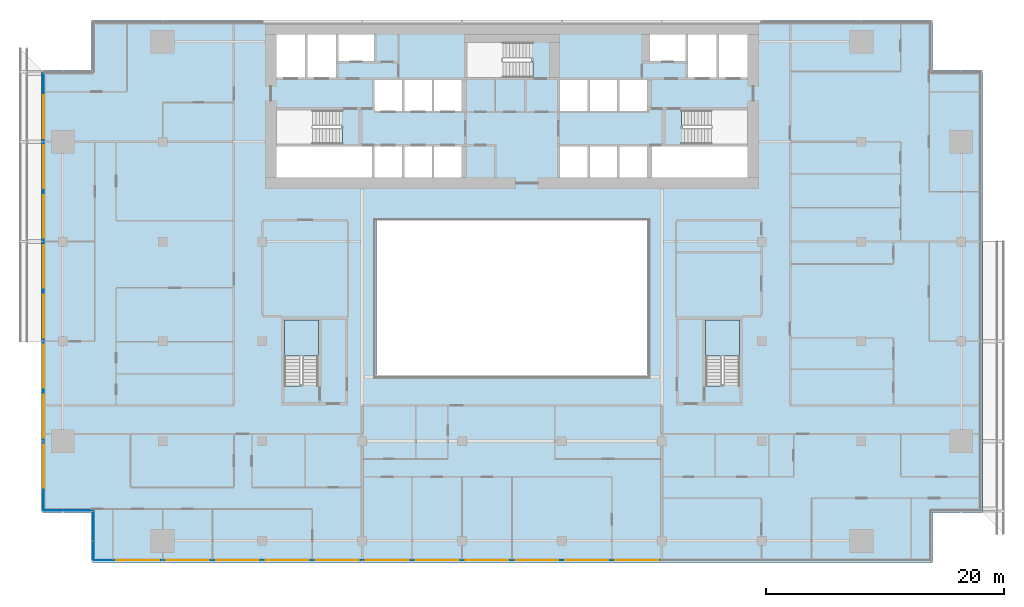
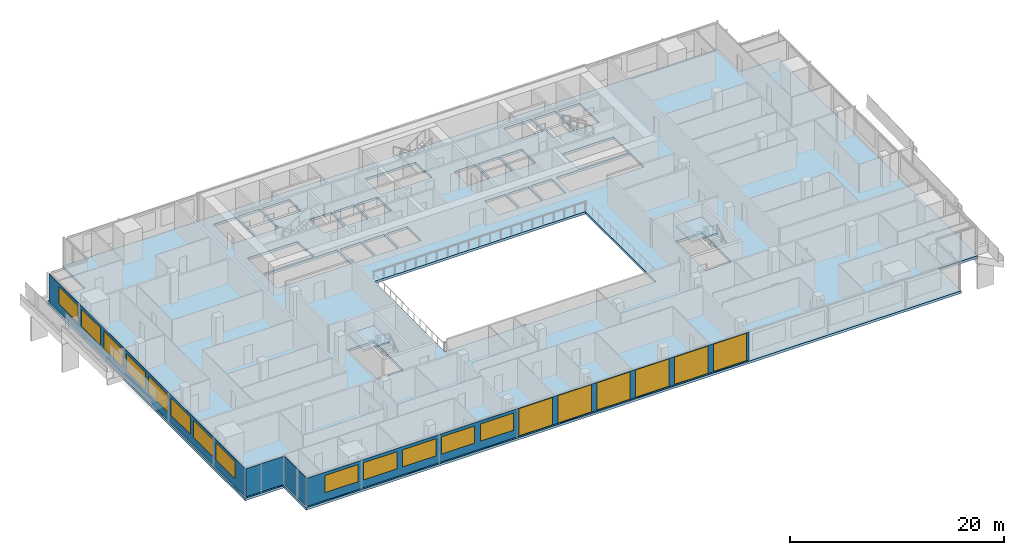
# One storey, part 14 of 25: 19 windows, 5 plates, 3 slabs, 19 openings, 6 elements without a shape of their own.
"""IFC4 building model written with IfcOpenShell, lengths in metres."""

from ifc_helpers import new_model, si_unit, direction, frame, frame_2d, origin, place, context, subcontext, project, spatial, polyline, rectangle, outline, extrude, material, layer, layer_set, type_object, element, fill, aggregate, save


model = new_model("IFC4")

# Units and contexts
model_context = context("Model", 3, precision=1e-05, world=origin(), true_north=direction((0.0, 1.0)))
body_context = subcontext(model_context, "Body", "Model", "MODEL_VIEW")
ifc_project = project(units=[si_unit("LENGTHUNIT", "METRE"), si_unit("AREAUNIT", "SQUARE_METRE"), si_unit("VOLUMEUNIT", "CUBIC_METRE"), si_unit("PLANEANGLEUNIT", "RADIAN"), si_unit("MASSUNIT", "GRAM", prefix="KILO")], contexts=[model_context])

# Site, building, storey
site_placement = place(None, origin())
site = spatial("IfcSite", under=ifc_project, at=site_placement, CompositionType="ELEMENT")
building_placement = place(site_placement, origin())
building = spatial("IfcBuilding", under=site, at=building_placement, Name="Saffron Gate Tower", CompositionType="ELEMENT")
storey_placement = place(building_placement, frame((0.0, 0.0, 131.25)))
storey = spatial("IfcBuildingStorey", under=building, at=storey_placement, Name="L31", CompositionType="ELEMENT", Elevation=131.25)

# Curtain wall, plates, openings, windows
ifc_material_1 = material(Name="Aluminium, bronze anodised", Category="aluminium")
curtain_wall_type_1 = type_object("IfcCurtainWallType", Name="CWS1 curtain wall front facade", PredefinedType="NOTDEFINED", material=ifc_material_1)
curtain_wall_1_placement = place(storey_placement, origin())
curtain_wall_1 = element("IfcCurtainWall", 1, at=curtain_wall_1_placement, inside=storey, type_object=curtain_wall_type_1, Name="CWS1 run 1", PredefinedType="NOTDEFINED")
ifc_material_2 = material(Name="Clear low-iron laminated glass", Category="glass")
ifc_layer_1 = layer(ifc_material_2, 0.028076171875)
ifc_layer_set_1 = layer_set([ifc_layer_1], Name="CWS1 clear glass")
plate_type_1 = type_object("IfcPlateType", Name="CWS1 clear glass", PredefinedType="CURTAIN_PANEL", material=ifc_layer_set_1)
plate_1_placement = place(storey_placement, frame((75.030029296875, 30.174072265625, 0.0), z_axis=(0.0, 0.0, 1.0), x_axis=(1.0, 0.0, 0.0)))
plate_1 = element("IfcPlate", 2, at=plate_1_placement, type_object=plate_type_1, Name="CWS1 clear glass panel", PredefinedType="CURTAIN_PANEL", context=body_context, shape_type="SweptSolid", body=[
    extrude(rectangle(XDim=25.139892578125, YDim=0.028076171875, at=frame_2d((12.56982421875, 0.0))), origin(), (0.0, 0.0, 1.0), 3.199951171875),
])
opening_1_placement = place(plate_1_placement, frame((0.27001953125, 0.0, 0.050048828125)))
opening_1 = element("IfcOpeningElement", 3, at=opening_1_placement, cuts=plate_1, Name="Opening WA", PredefinedType="OPENING", context=body_context, shape_type="SweptSolid", body=[
    extrude(rectangle(XDim=3.60009765625, YDim=3.10009765625, at=frame_2d((1.800048828125, 1.550048828125))), frame((0.0, 0.02392578125, 0.0), z_axis=(0.0, -1.0, 0.0), x_axis=(1.0, 0.0, 0.0)), (0.0, 0.0, 1.0), 0.048095703125),
])
opening_2_placement = place(plate_1_placement, frame((4.469970703125, 0.0, 0.050048828125)))
opening_2 = element("IfcOpeningElement", 4, at=opening_2_placement, cuts=plate_1, Name="Opening WA", PredefinedType="OPENING", context=body_context, shape_type="SweptSolid", body=[
    extrude(rectangle(XDim=3.60009765625, YDim=3.10009765625, at=frame_2d((1.800048828125, 1.550048828125))), frame((0.0, 0.02392578125, 0.0), z_axis=(0.0, -1.0, 0.0), x_axis=(1.0, 0.0, 0.0)), (0.0, 0.0, 1.0), 0.048095703125),
])
opening_3_placement = place(plate_1_placement, frame((8.669921875, 0.0, 0.050048828125)))
opening_3 = element("IfcOpeningElement", 5, at=opening_3_placement, cuts=plate_1, Name="Opening WA", PredefinedType="OPENING", context=body_context, shape_type="SweptSolid", body=[
    extrude(rectangle(XDim=3.60009765625, YDim=3.10009765625, at=frame_2d((1.800048828125, 1.550048828125))), frame((0.0, 0.02392578125, 0.0), z_axis=(0.0, -1.0, 0.0), x_axis=(1.0, 0.0, 0.0)), (0.0, 0.0, 1.0), 0.048095703125),
])
opening_4_placement = place(plate_1_placement, frame((12.8701171875, 0.0, 0.050048828125)))
opening_4 = element("IfcOpeningElement", 6, at=opening_4_placement, cuts=plate_1, Name="Opening WA", PredefinedType="OPENING", context=body_context, shape_type="SweptSolid", body=[
    extrude(rectangle(XDim=3.60009765625, YDim=3.10009765625, at=frame_2d((1.800048828125, 1.550048828125))), frame((0.0, 0.02392578125, 0.0), z_axis=(0.0, -1.0, 0.0), x_axis=(1.0, 0.0, 0.0)), (0.0, 0.0, 1.0), 0.048095703125),
])
opening_5_placement = place(plate_1_placement, frame((17.070068359375, 0.0, 0.050048828125)))
opening_5 = element("IfcOpeningElement", 7, at=opening_5_placement, cuts=plate_1, Name="Opening WA", PredefinedType="OPENING", context=body_context, shape_type="SweptSolid", body=[
    extrude(rectangle(XDim=3.60009765625, YDim=3.10009765625, at=frame_2d((1.800048828125, 1.550048828125))), frame((0.0, 0.02392578125, 0.0), z_axis=(0.0, -1.0, 0.0), x_axis=(1.0, 0.0, 0.0)), (0.0, 0.0, 1.0), 0.048095703125),
])
opening_6_placement = place(plate_1_placement, frame((21.27001953125, 0.0, 0.050048828125)))
opening_6 = element("IfcOpeningElement", 8, at=opening_6_placement, cuts=plate_1, Name="Opening WA", PredefinedType="OPENING", context=body_context, shape_type="SweptSolid", body=[
    extrude(rectangle(XDim=3.60009765625, YDim=3.10009765625, at=frame_2d((1.800048828125, 1.550048828125))), frame((0.0, 0.02392578125, 0.0), z_axis=(0.0, -1.0, 0.0), x_axis=(1.0, 0.0, 0.0)), (0.0, 0.0, 1.0), 0.048095703125),
])
ifc_material_3 = material(Name="Clear low-iron laminated glass in bronze frame", Category="glass")
ifc_layer_2 = layer(ifc_material_3, 0.06005859375)
ifc_layer_set_2 = layer_set([ifc_layer_2], Name="WA operable atrium unit 3600x3100")
window_type_1 = type_object("IfcWindowType", Name="WA operable atrium unit 3600x3100", PartitioningType="DOUBLE_PANEL_HORIZONTAL", PredefinedType="WINDOW", material=ifc_layer_set_2)
window_1_placement = place(opening_1_placement, origin())
window_1 = element("IfcWindow", 9, at=window_1_placement, type_object=window_type_1, Name="WA operable atrium unit", OverallHeight=3.10009765625, OverallWidth=3.60009765625, PartitioningType="SINGLE_PANEL", PredefinedType="WINDOW", context=body_context, shape_type="SweptSolid", body=[
    extrude(rectangle(XDim=3.60009765625, YDim=3.10009765625, at=frame_2d((1.800048828125, 1.550048828125))), frame((0.0, 0.013671875, 0.0), z_axis=(0.0, -1.0, 0.0), x_axis=(1.0, 0.0, 0.0)), (0.0, 0.0, 1.0), 0.027587890625),
])
fill(opening_1, window_1)
window_2_placement = place(opening_2_placement, origin())
window_2 = element("IfcWindow", 10, at=window_2_placement, type_object=window_type_1, Name="WA operable atrium unit", OverallHeight=3.10009765625, OverallWidth=3.60009765625, PartitioningType="SINGLE_PANEL", PredefinedType="WINDOW", context=body_context, shape_type="SweptSolid", body=[
    extrude(rectangle(XDim=3.60009765625, YDim=3.10009765625, at=frame_2d((1.800048828125, 1.550048828125))), frame((0.0, 0.013671875, 0.0), z_axis=(0.0, -1.0, 0.0), x_axis=(1.0, 0.0, 0.0)), (0.0, 0.0, 1.0), 0.027587890625),
])
fill(opening_2, window_2)
window_3_placement = place(opening_3_placement, origin())
window_3 = element("IfcWindow", 11, at=window_3_placement, type_object=window_type_1, Name="WA operable atrium unit", OverallHeight=3.10009765625, OverallWidth=3.60009765625, PartitioningType="SINGLE_PANEL", PredefinedType="WINDOW", context=body_context, shape_type="SweptSolid", body=[
    extrude(rectangle(XDim=3.60009765625, YDim=3.10009765625, at=frame_2d((1.800048828125, 1.550048828125))), frame((0.0, 0.013671875, 0.0), z_axis=(0.0, -1.0, 0.0), x_axis=(1.0, 0.0, 0.0)), (0.0, 0.0, 1.0), 0.027587890625),
])
fill(opening_3, window_3)
window_4_placement = place(opening_4_placement, origin())
window_4 = element("IfcWindow", 12, at=window_4_placement, type_object=window_type_1, Name="WA operable atrium unit", OverallHeight=3.10009765625, OverallWidth=3.60009765625, PartitioningType="SINGLE_PANEL", PredefinedType="WINDOW", context=body_context, shape_type="SweptSolid", body=[
    extrude(rectangle(XDim=3.60009765625, YDim=3.10009765625, at=frame_2d((1.800048828125, 1.550048828125))), frame((0.0, 0.013671875, 0.0), z_axis=(0.0, -1.0, 0.0), x_axis=(1.0, 0.0, 0.0)), (0.0, 0.0, 1.0), 0.027587890625),
])
fill(opening_4, window_4)
window_5_placement = place(opening_5_placement, origin())
window_5 = element("IfcWindow", 13, at=window_5_placement, type_object=window_type_1, Name="WA operable atrium unit", OverallHeight=3.10009765625, OverallWidth=3.60009765625, PartitioningType="SINGLE_PANEL", PredefinedType="WINDOW", context=body_context, shape_type="SweptSolid", body=[
    extrude(rectangle(XDim=3.60009765625, YDim=3.10009765625, at=frame_2d((1.800048828125, 1.550048828125))), frame((0.0, 0.013671875, 0.0), z_axis=(0.0, -1.0, 0.0), x_axis=(1.0, 0.0, 0.0)), (0.0, 0.0, 1.0), 0.027587890625),
])
fill(opening_5, window_5)
window_6_placement = place(opening_6_placement, origin())
window_6 = element("IfcWindow", 14, at=window_6_placement, type_object=window_type_1, Name="WA operable atrium unit", OverallHeight=3.10009765625, OverallWidth=3.60009765625, PartitioningType="SINGLE_PANEL", PredefinedType="WINDOW", context=body_context, shape_type="SweptSolid", body=[
    extrude(rectangle(XDim=3.60009765625, YDim=3.10009765625, at=frame_2d((1.800048828125, 1.550048828125))), frame((0.0, 0.013671875, 0.0), z_axis=(0.0, -1.0, 0.0), x_axis=(1.0, 0.0, 0.0)), (0.0, 0.0, 1.0), 0.027587890625),
])
fill(opening_6, window_6)
ifc_material_4 = material(Name="Fritted bronze-tinted laminated glass", Category="glass")
ifc_layer_3 = layer(ifc_material_4, 0.028076171875)
ifc_layer_set_3 = layer_set([ifc_layer_3], Name="CWS1 fixed glass")
plate_type_2 = type_object("IfcPlateType", Name="CWS1 fixed glass", PredefinedType="CURTAIN_PANEL", material=ifc_layer_set_3)
plate_2_placement = place(storey_placement, frame((52.387939453125, 30.174072265625, 0.0), z_axis=(0.0, 0.0, 1.0), x_axis=(1.0, 0.0, 0.0)))
plate_2 = element("IfcPlate", 15, at=plate_2_placement, type_object=plate_type_2, Name="CWS1 glass panel", PredefinedType="CURTAIN_PANEL", context=body_context, shape_type="SweptSolid", body=[
    extrude(rectangle(XDim=22.64208984375, YDim=0.028076171875, at=frame_2d((11.321044921875, 0.0))), origin(), (0.0, 0.0, 1.0), 3.199951171875),
])
opening_7_placement = place(plate_2_placement, frame((1.912109375, 0.0, 0.89990234375)))
opening_7 = element("IfcOpeningElement", 16, at=opening_7_placement, cuts=plate_2, Name="Opening W1", PredefinedType="OPENING", context=body_context, shape_type="SweptSolid", body=[
    extrude(rectangle(XDim=3.60009765625, YDim=1.949951171875, at=frame_2d((1.800048828125, 0.97509765625))), frame((0.0, 0.02392578125, 0.0), z_axis=(0.0, -1.0, 0.0), x_axis=(1.0, 0.0, 0.0)), (0.0, 0.0, 1.0), 0.048095703125),
])
opening_8_placement = place(plate_2_placement, frame((6.112060546875, 0.0, 0.89990234375)))
opening_8 = element("IfcOpeningElement", 17, at=opening_8_placement, cuts=plate_2, Name="Opening W1", PredefinedType="OPENING", context=body_context, shape_type="SweptSolid", body=[
    extrude(rectangle(XDim=3.60009765625, YDim=1.949951171875, at=frame_2d((1.800048828125, 0.97509765625))), frame((0.0, 0.02392578125, 0.0), z_axis=(0.0, -1.0, 0.0), x_axis=(1.0, 0.0, 0.0)), (0.0, 0.0, 1.0), 0.048095703125),
])
opening_9_placement = place(plate_2_placement, frame((10.31201171875, 0.0, 0.89990234375)))
opening_9 = element("IfcOpeningElement", 18, at=opening_9_placement, cuts=plate_2, Name="Opening W1", PredefinedType="OPENING", context=body_context, shape_type="SweptSolid", body=[
    extrude(rectangle(XDim=3.60009765625, YDim=1.949951171875, at=frame_2d((1.800048828125, 0.97509765625))), frame((0.0, 0.02392578125, 0.0), z_axis=(0.0, -1.0, 0.0), x_axis=(1.0, 0.0, 0.0)), (0.0, 0.0, 1.0), 0.048095703125),
])
opening_10_placement = place(plate_2_placement, frame((14.511962890625, 0.0, 0.89990234375)))
opening_10 = element("IfcOpeningElement", 19, at=opening_10_placement, cuts=plate_2, Name="Opening W1", PredefinedType="OPENING", context=body_context, shape_type="SweptSolid", body=[
    extrude(rectangle(XDim=3.60009765625, YDim=1.949951171875, at=frame_2d((1.800048828125, 0.97509765625))), frame((0.0, 0.02392578125, 0.0), z_axis=(0.0, -1.0, 0.0), x_axis=(1.0, 0.0, 0.0)), (0.0, 0.0, 1.0), 0.048095703125),
])
opening_11_placement = place(plate_2_placement, frame((18.7119140625, 0.0, 0.89990234375)))
opening_11 = element("IfcOpeningElement", 20, at=opening_11_placement, cuts=plate_2, Name="Opening W1", PredefinedType="OPENING", context=body_context, shape_type="SweptSolid", body=[
    extrude(rectangle(XDim=3.60009765625, YDim=1.949951171875, at=frame_2d((1.800048828125, 0.97509765625))), frame((0.0, 0.02392578125, 0.0), z_axis=(0.0, -1.0, 0.0), x_axis=(1.0, 0.0, 0.0)), (0.0, 0.0, 1.0), 0.048095703125),
])
ifc_material_5 = material(Name="Fritted bronze-tinted laminated glass in bronze frame", Category="glass")
ifc_layer_4 = layer(ifc_material_5, 0.06005859375)
ifc_layer_set_4 = layer_set([ifc_layer_4], Name="W1 operable panel 3600x1950")
window_type_2 = type_object("IfcWindowType", Name="W1 operable panel 3600x1950", PartitioningType="DOUBLE_PANEL_HORIZONTAL", PredefinedType="WINDOW", material=ifc_layer_set_4)
window_7_placement = place(opening_7_placement, origin())
window_7 = element("IfcWindow", 21, at=window_7_placement, type_object=window_type_2, Name="W1 operable panel", OverallHeight=1.949951171875, OverallWidth=3.60009765625, PartitioningType="SINGLE_PANEL", PredefinedType="WINDOW", context=body_context, shape_type="SweptSolid", body=[
    extrude(rectangle(XDim=3.60009765625, YDim=1.949951171875, at=frame_2d((1.800048828125, 0.97509765625))), frame((0.0, 0.013671875, 0.0), z_axis=(0.0, -1.0, 0.0), x_axis=(1.0, 0.0, 0.0)), (0.0, 0.0, 1.0), 0.027587890625),
])
fill(opening_7, window_7)
window_8_placement = place(opening_8_placement, origin())
window_8 = element("IfcWindow", 22, at=window_8_placement, type_object=window_type_2, Name="W1 operable panel", OverallHeight=1.949951171875, OverallWidth=3.60009765625, PartitioningType="SINGLE_PANEL", PredefinedType="WINDOW", context=body_context, shape_type="SweptSolid", body=[
    extrude(rectangle(XDim=3.60009765625, YDim=1.949951171875, at=frame_2d((1.800048828125, 0.97509765625))), frame((0.0, 0.013671875, 0.0), z_axis=(0.0, -1.0, 0.0), x_axis=(1.0, 0.0, 0.0)), (0.0, 0.0, 1.0), 0.027587890625),
])
fill(opening_8, window_8)
window_9_placement = place(opening_9_placement, origin())
window_9 = element("IfcWindow", 23, at=window_9_placement, type_object=window_type_2, Name="W1 operable panel", OverallHeight=1.949951171875, OverallWidth=3.60009765625, PartitioningType="SINGLE_PANEL", PredefinedType="WINDOW", context=body_context, shape_type="SweptSolid", body=[
    extrude(rectangle(XDim=3.60009765625, YDim=1.949951171875, at=frame_2d((1.800048828125, 0.97509765625))), frame((0.0, 0.013671875, 0.0), z_axis=(0.0, -1.0, 0.0), x_axis=(1.0, 0.0, 0.0)), (0.0, 0.0, 1.0), 0.027587890625),
])
fill(opening_9, window_9)
window_10_placement = place(opening_10_placement, origin())
window_10 = element("IfcWindow", 24, at=window_10_placement, type_object=window_type_2, Name="W1 operable panel", OverallHeight=1.949951171875, OverallWidth=3.60009765625, PartitioningType="SINGLE_PANEL", PredefinedType="WINDOW", context=body_context, shape_type="SweptSolid", body=[
    extrude(rectangle(XDim=3.60009765625, YDim=1.949951171875, at=frame_2d((1.800048828125, 0.97509765625))), frame((0.0, 0.013671875, 0.0), z_axis=(0.0, -1.0, 0.0), x_axis=(1.0, 0.0, 0.0)), (0.0, 0.0, 1.0), 0.027587890625),
])
fill(opening_10, window_10)
window_11_placement = place(opening_11_placement, origin())
window_11 = element("IfcWindow", 25, at=window_11_placement, type_object=window_type_2, Name="W1 operable panel", OverallHeight=1.949951171875, OverallWidth=3.60009765625, PartitioningType="SINGLE_PANEL", PredefinedType="WINDOW", context=body_context, shape_type="SweptSolid", body=[
    extrude(rectangle(XDim=3.60009765625, YDim=1.949951171875, at=frame_2d((1.800048828125, 0.97509765625))), frame((0.0, 0.013671875, 0.0), z_axis=(0.0, -1.0, 0.0), x_axis=(1.0, 0.0, 0.0)), (0.0, 0.0, 1.0), 0.027587890625),
])
fill(opening_11, window_11)
aggregate(curtain_wall_1, [plate_2, plate_1, window_7, window_8, window_9, window_10, window_11, window_1, window_2, window_3, window_4, window_5, window_6])

# Curtain wall, plate, openings, windows
curtain_wall_type_2 = type_object("IfcCurtainWallType", Name="CWS2 curtain wall side facades", PredefinedType="NOTDEFINED", material=ifc_material_1)
curtain_wall_2_placement = place(storey_placement, origin())
curtain_wall_2 = element("IfcCurtainWall", 26, at=curtain_wall_2_placement, inside=storey, type_object=curtain_wall_type_2, Name="CWS2 run 10", PredefinedType="NOTDEFINED")
ifc_layer_5 = layer(ifc_material_4, 0.028076171875)
ifc_layer_set_5 = layer_set([ifc_layer_5], Name="CWS2 fixed glass")
plate_type_3 = type_object("IfcPlateType", Name="CWS2 fixed glass", PredefinedType="CURTAIN_PANEL", material=ifc_layer_set_5)
plate_3_placement = place(storey_placement, frame((48.174072265625, 71.2119140625, 0.0), z_axis=(0.0, 0.0, 1.0), x_axis=(0.0, -1.0, 0.0)))
plate_3 = element("IfcPlate", 27, at=plate_3_placement, type_object=plate_type_3, Name="CWS2 glass panel", PredefinedType="CURTAIN_PANEL", context=body_context, shape_type="SweptSolid", body=[
    extrude(rectangle(XDim=36.823974609375, YDim=0.028076171875, at=frame_2d((18.412109375, 0.0))), origin(), (0.0, 0.0, 1.0), 3.199951171875),
])
opening_12_placement = place(plate_3_placement, frame((1.912109375, 0.0, 0.89990234375)))
opening_12 = element("IfcOpeningElement", 28, at=opening_12_placement, cuts=plate_3, Name="Opening W1", PredefinedType="OPENING", context=body_context, shape_type="SweptSolid", body=[
    extrude(rectangle(XDim=3.60009765625, YDim=1.949951171875, at=frame_2d((1.800048828125, 0.97509765625))), frame((0.0, 0.02392578125, 0.0), z_axis=(0.0, -1.0, 0.0), x_axis=(1.0, 0.0, 0.0)), (0.0, 0.0, 1.0), 0.048095703125),
])
opening_13_placement = place(plate_3_placement, frame((6.112060546875, 0.0, 0.89990234375)))
opening_13 = element("IfcOpeningElement", 29, at=opening_13_placement, cuts=plate_3, Name="Opening W1", PredefinedType="OPENING", context=body_context, shape_type="SweptSolid", body=[
    extrude(rectangle(XDim=3.60009765625, YDim=1.949951171875, at=frame_2d((1.800048828125, 0.97509765625))), frame((0.0, 0.02392578125, 0.0), z_axis=(0.0, -1.0, 0.0), x_axis=(1.0, 0.0, 0.0)), (0.0, 0.0, 1.0), 0.048095703125),
])
opening_14_placement = place(plate_3_placement, frame((10.31201171875, 0.0, 0.89990234375)))
opening_14 = element("IfcOpeningElement", 30, at=opening_14_placement, cuts=plate_3, Name="Opening W1", PredefinedType="OPENING", context=body_context, shape_type="SweptSolid", body=[
    extrude(rectangle(XDim=3.60009765625, YDim=1.949951171875, at=frame_2d((1.800048828125, 0.97509765625))), frame((0.0, 0.02392578125, 0.0), z_axis=(0.0, -1.0, 0.0), x_axis=(1.0, 0.0, 0.0)), (0.0, 0.0, 1.0), 0.048095703125),
])
opening_15_placement = place(plate_3_placement, frame((14.511962890625, 0.0, 0.89990234375)))
opening_15 = element("IfcOpeningElement", 31, at=opening_15_placement, cuts=plate_3, Name="Opening W1", PredefinedType="OPENING", context=body_context, shape_type="SweptSolid", body=[
    extrude(rectangle(XDim=3.60009765625, YDim=1.949951171875, at=frame_2d((1.800048828125, 0.97509765625))), frame((0.0, 0.02392578125, 0.0), z_axis=(0.0, -1.0, 0.0), x_axis=(1.0, 0.0, 0.0)), (0.0, 0.0, 1.0), 0.048095703125),
])
opening_16_placement = place(plate_3_placement, frame((18.7119140625, 0.0, 0.89990234375)))
opening_16 = element("IfcOpeningElement", 32, at=opening_16_placement, cuts=plate_3, Name="Opening W1", PredefinedType="OPENING", context=body_context, shape_type="SweptSolid", body=[
    extrude(rectangle(XDim=3.60009765625, YDim=1.949951171875, at=frame_2d((1.800048828125, 0.97509765625))), frame((0.0, 0.02392578125, 0.0), z_axis=(0.0, -1.0, 0.0), x_axis=(1.0, 0.0, 0.0)), (0.0, 0.0, 1.0), 0.048095703125),
])
opening_17_placement = place(plate_3_placement, frame((22.912109375, 0.0, 0.89990234375)))
opening_17 = element("IfcOpeningElement", 33, at=opening_17_placement, cuts=plate_3, Name="Opening W1", PredefinedType="OPENING", context=body_context, shape_type="SweptSolid", body=[
    extrude(rectangle(XDim=3.60009765625, YDim=1.949951171875, at=frame_2d((1.800048828125, 0.97509765625))), frame((0.0, 0.02392578125, 0.0), z_axis=(0.0, -1.0, 0.0), x_axis=(1.0, 0.0, 0.0)), (0.0, 0.0, 1.0), 0.048095703125),
])
opening_18_placement = place(plate_3_placement, frame((27.112060546875, 0.0, 0.89990234375)))
opening_18 = element("IfcOpeningElement", 34, at=opening_18_placement, cuts=plate_3, Name="Opening W1", PredefinedType="OPENING", context=body_context, shape_type="SweptSolid", body=[
    extrude(rectangle(XDim=3.60009765625, YDim=1.949951171875, at=frame_2d((1.800048828125, 0.97509765625))), frame((0.0, 0.02392578125, 0.0), z_axis=(0.0, -1.0, 0.0), x_axis=(1.0, 0.0, 0.0)), (0.0, 0.0, 1.0), 0.048095703125),
])
opening_19_placement = place(plate_3_placement, frame((31.31201171875, 0.0, 0.89990234375)))
opening_19 = element("IfcOpeningElement", 35, at=opening_19_placement, cuts=plate_3, Name="Opening W1", PredefinedType="OPENING", context=body_context, shape_type="SweptSolid", body=[
    extrude(rectangle(XDim=3.60009765625, YDim=1.949951171875, at=frame_2d((1.800048828125, 0.97509765625))), frame((0.0, 0.02392578125, 0.0), z_axis=(0.0, -1.0, 0.0), x_axis=(1.0, 0.0, 0.0)), (0.0, 0.0, 1.0), 0.048095703125),
])
window_12_placement = place(opening_12_placement, origin())
window_12 = element("IfcWindow", 36, at=window_12_placement, type_object=window_type_2, Name="W1 operable panel", OverallHeight=1.949951171875, OverallWidth=3.60009765625, PartitioningType="SINGLE_PANEL", PredefinedType="WINDOW", context=body_context, shape_type="SweptSolid", body=[
    extrude(rectangle(XDim=3.60009765625, YDim=1.949951171875, at=frame_2d((1.800048828125, 0.97509765625))), frame((0.0, 0.013671875, 0.0), z_axis=(0.0, -1.0, 0.0), x_axis=(1.0, 0.0, 0.0)), (0.0, 0.0, 1.0), 0.027587890625),
])
fill(opening_12, window_12)
window_13_placement = place(opening_13_placement, origin())
window_13 = element("IfcWindow", 37, at=window_13_placement, type_object=window_type_2, Name="W1 operable panel", OverallHeight=1.949951171875, OverallWidth=3.60009765625, PartitioningType="SINGLE_PANEL", PredefinedType="WINDOW", context=body_context, shape_type="SweptSolid", body=[
    extrude(rectangle(XDim=3.60009765625, YDim=1.949951171875, at=frame_2d((1.800048828125, 0.97509765625))), frame((0.0, 0.013671875, 0.0), z_axis=(0.0, -1.0, 0.0), x_axis=(1.0, 0.0, 0.0)), (0.0, 0.0, 1.0), 0.027587890625),
])
fill(opening_13, window_13)
window_14_placement = place(opening_14_placement, origin())
window_14 = element("IfcWindow", 38, at=window_14_placement, type_object=window_type_2, Name="W1 operable panel", OverallHeight=1.949951171875, OverallWidth=3.60009765625, PartitioningType="SINGLE_PANEL", PredefinedType="WINDOW", context=body_context, shape_type="SweptSolid", body=[
    extrude(rectangle(XDim=3.60009765625, YDim=1.949951171875, at=frame_2d((1.800048828125, 0.97509765625))), frame((0.0, 0.013671875, 0.0), z_axis=(0.0, -1.0, 0.0), x_axis=(1.0, 0.0, 0.0)), (0.0, 0.0, 1.0), 0.027587890625),
])
fill(opening_14, window_14)
window_15_placement = place(opening_15_placement, origin())
window_15 = element("IfcWindow", 39, at=window_15_placement, type_object=window_type_2, Name="W1 operable panel", OverallHeight=1.949951171875, OverallWidth=3.60009765625, PartitioningType="SINGLE_PANEL", PredefinedType="WINDOW", context=body_context, shape_type="SweptSolid", body=[
    extrude(rectangle(XDim=3.60009765625, YDim=1.949951171875, at=frame_2d((1.800048828125, 0.97509765625))), frame((0.0, 0.013671875, 0.0), z_axis=(0.0, -1.0, 0.0), x_axis=(1.0, 0.0, 0.0)), (0.0, 0.0, 1.0), 0.027587890625),
])
fill(opening_15, window_15)
window_16_placement = place(opening_16_placement, origin())
window_16 = element("IfcWindow", 40, at=window_16_placement, type_object=window_type_2, Name="W1 operable panel", OverallHeight=1.949951171875, OverallWidth=3.60009765625, PartitioningType="SINGLE_PANEL", PredefinedType="WINDOW", context=body_context, shape_type="SweptSolid", body=[
    extrude(rectangle(XDim=3.60009765625, YDim=1.949951171875, at=frame_2d((1.800048828125, 0.97509765625))), frame((0.0, 0.013671875, 0.0), z_axis=(0.0, -1.0, 0.0), x_axis=(1.0, 0.0, 0.0)), (0.0, 0.0, 1.0), 0.027587890625),
])
fill(opening_16, window_16)
window_17_placement = place(opening_17_placement, origin())
window_17 = element("IfcWindow", 41, at=window_17_placement, type_object=window_type_2, Name="W1 operable panel", OverallHeight=1.949951171875, OverallWidth=3.60009765625, PartitioningType="SINGLE_PANEL", PredefinedType="WINDOW", context=body_context, shape_type="SweptSolid", body=[
    extrude(rectangle(XDim=3.60009765625, YDim=1.949951171875, at=frame_2d((1.800048828125, 0.97509765625))), frame((0.0, 0.013671875, 0.0), z_axis=(0.0, -1.0, 0.0), x_axis=(1.0, 0.0, 0.0)), (0.0, 0.0, 1.0), 0.027587890625),
])
fill(opening_17, window_17)
window_18_placement = place(opening_18_placement, origin())
window_18 = element("IfcWindow", 42, at=window_18_placement, type_object=window_type_2, Name="W1 operable panel", OverallHeight=1.949951171875, OverallWidth=3.60009765625, PartitioningType="SINGLE_PANEL", PredefinedType="WINDOW", context=body_context, shape_type="SweptSolid", body=[
    extrude(rectangle(XDim=3.60009765625, YDim=1.949951171875, at=frame_2d((1.800048828125, 0.97509765625))), frame((0.0, 0.013671875, 0.0), z_axis=(0.0, -1.0, 0.0), x_axis=(1.0, 0.0, 0.0)), (0.0, 0.0, 1.0), 0.027587890625),
])
fill(opening_18, window_18)
window_19_placement = place(opening_19_placement, origin())
window_19 = element("IfcWindow", 43, at=window_19_placement, type_object=window_type_2, Name="W1 operable panel", OverallHeight=1.949951171875, OverallWidth=3.60009765625, PartitioningType="SINGLE_PANEL", PredefinedType="WINDOW", context=body_context, shape_type="SweptSolid", body=[
    extrude(rectangle(XDim=3.60009765625, YDim=1.949951171875, at=frame_2d((1.800048828125, 0.97509765625))), frame((0.0, 0.013671875, 0.0), z_axis=(0.0, -1.0, 0.0), x_axis=(1.0, 0.0, 0.0)), (0.0, 0.0, 1.0), 0.027587890625),
])
fill(opening_19, window_19)
aggregate(curtain_wall_2, [plate_3, window_12, window_13, window_14, window_15, window_16, window_17, window_18, window_19])

# Curtain wall, plate
curtain_wall_type_3 = type_object("IfcCurtainWallType", Name="CWS4 curtain wall corner returns", PredefinedType="NOTDEFINED", material=ifc_material_1)
curtain_wall_3_placement = place(storey_placement, origin())
curtain_wall_3 = element("IfcCurtainWall", 44, at=curtain_wall_3_placement, inside=storey, type_object=curtain_wall_type_3, Name="CWS4 run 11", PredefinedType="NOTDEFINED")
ifc_layer_6 = layer(ifc_material_4, 0.028076171875)
ifc_layer_set_6 = layer_set([ifc_layer_6], Name="CWS4 fixed glass")
plate_type_4 = type_object("IfcPlateType", Name="CWS4 fixed glass", PredefinedType="CURTAIN_PANEL", material=ifc_layer_set_6)
plate_4_placement = place(storey_placement, frame((48.18798828125, 34.3740234375, 0.0), z_axis=(0.0, 0.0, 1.0), x_axis=(1.0, 0.0, 0.0)))
plate_4 = element("IfcPlate", 45, at=plate_4_placement, type_object=plate_type_4, Name="CWS4 glass panel", PredefinedType="CURTAIN_PANEL", context=body_context, shape_type="SweptSolid", body=[
    extrude(rectangle(XDim=4.172119140625, YDim=0.028076171875, at=frame_2d((2.0859375, 0.0))), origin(), (0.0, 0.0, 1.0), 3.199951171875),
])
aggregate(curtain_wall_3, [plate_4])

curtain_wall_4_placement = place(storey_placement, origin())
curtain_wall_4 = element("IfcCurtainWall", 46, at=curtain_wall_4_placement, inside=storey, type_object=curtain_wall_type_3, Name="CWS4 run 12", PredefinedType="NOTDEFINED")
plate_5_placement = place(storey_placement, frame((52.3740234375, 34.360107421875, 0.0), z_axis=(0.0, 0.0, 1.0), x_axis=(0.0, -1.0, 0.0)))
plate_5 = element("IfcPlate", 47, at=plate_5_placement, type_object=plate_type_4, Name="CWS4 glass panel", PredefinedType="CURTAIN_PANEL", context=body_context, shape_type="SweptSolid", body=[
    extrude(rectangle(XDim=4.172119140625, YDim=0.028076171875, at=frame_2d((2.0859375, 0.0))), origin(), (0.0, 0.0, 1.0), 3.199951171875),
])
aggregate(curtain_wall_4, [plate_5])

# Slab
ifc_material_6 = material(Name="Concrete C40", Category="concrete")
ifc_layer_7 = layer(ifc_material_6, 0.280029296875)
ifc_layer_set_7 = layer_set([ifc_layer_7], Name="S2 FLOOR SLAB 280 CONCRETE C40")
slab_type_1 = type_object("IfcSlabType", Name="S2 FLOOR SLAB 280 CONCRETE C40", PredefinedType="FLOOR", material=ifc_layer_set_7)
slab_1_placement = place(storey_placement, frame((0.0, 0.0, -0.280029296875)))
element("IfcSlab", 48, at=slab_1_placement, inside=storey, type_object=slab_type_1, Name="S2 FLOOR SLAB", PredefinedType="FLOOR", context=body_context, shape_type="SweptSolid", body=[
    extrude(outline(polyline([(48.0, 34.199951171875), (52.199951171875, 34.199951171875), (52.199951171875, 30.0), (123.0, 30.0), (123.0, 34.199951171875), (127.199951171875, 34.199951171875), (127.199951171875, 71.39990234375), (123.0, 71.39990234375), (123.0, 75.60009765625), (52.199951171875, 75.60009765625), (52.199951171875, 71.39990234375), (48.0, 71.39990234375), (48.0, 34.199951171875)]), holes=[polyline([(67.800048828125, 62.39990234375), (67.800048828125, 65.0), (75.800048828125, 65.0), (75.800048828125, 62.39990234375), (67.800048828125, 62.39990234375)]), polyline([(67.800048828125, 65.199951171875), (67.800048828125, 68.050048828125), (73.25, 68.050048828125), (73.25, 66.550048828125), (73.34912109375, 66.550048828125), (73.34912109375, 65.199951171875), (67.800048828125, 65.199951171875)]), polyline([(67.800048828125, 70.800048828125), (67.800048828125, 74.39990234375), (70.199951171875, 74.39990234375), (70.199951171875, 70.800048828125), (67.800048828125, 70.800048828125)]), polyline([(68.449951171875, 44.85107421875), (68.449951171875, 50.39990234375), (71.300048828125, 50.39990234375), (71.300048828125, 44.949951171875), (69.800048828125, 44.949951171875), (69.800048828125, 44.85107421875), (68.449951171875, 44.85107421875)]), polyline([(70.39990234375, 70.800048828125), (70.39990234375, 74.39990234375), (72.800048828125, 74.39990234375), (72.800048828125, 70.800048828125), (70.39990234375, 70.800048828125)]), polyline([(73.0, 72.199951171875), (73.0, 74.39990234375), (76.0, 74.39990234375), (76.0, 72.199951171875), (73.0, 72.199951171875)]), polyline([(76.050048828125, 62.39990234375), (76.050048828125, 65.0), (78.35009765625, 65.0), (78.35009765625, 62.39990234375), (76.050048828125, 62.39990234375)]), polyline([(76.050048828125, 68.0), (76.050048828125, 70.60009765625), (78.35009765625, 70.60009765625), (78.35009765625, 68.0), (76.050048828125, 68.0)]), polyline([(76.199951171875, 45.60009765625), (76.199951171875, 58.800048828125), (99.0, 58.800048828125), (99.0, 45.60009765625), (76.199951171875, 45.60009765625)]), polyline([(78.550048828125, 62.39990234375), (78.550048828125, 65.0), (80.85009765625, 65.0), (80.85009765625, 62.39990234375), (78.550048828125, 62.39990234375)]), polyline([(78.550048828125, 68.0), (78.550048828125, 70.60009765625), (80.85009765625, 70.60009765625), (80.85009765625, 68.0), (78.550048828125, 68.0)]), polyline([(81.050048828125, 62.39990234375), (81.050048828125, 65.0), (83.35009765625, 65.0), (83.35009765625, 62.39990234375), (81.050048828125, 62.39990234375)]), polyline([(81.050048828125, 68.0), (81.050048828125, 70.60009765625), (83.35009765625, 70.60009765625), (83.35009765625, 68.0), (81.050048828125, 68.0)]), polyline([(83.800048828125, 70.800048828125), (83.800048828125, 73.75), (89.25, 73.75), (89.25, 72.14990234375), (89.34912109375, 72.14990234375), (89.34912109375, 70.800048828125), (83.800048828125, 70.800048828125)]), polyline([(91.64990234375, 62.39990234375), (91.64990234375, 65.0), (93.949951171875, 65.0), (93.949951171875, 62.39990234375), (91.64990234375, 62.39990234375)]), polyline([(91.64990234375, 68.0), (91.64990234375, 70.60009765625), (93.949951171875, 70.60009765625), (93.949951171875, 68.0), (91.64990234375, 68.0)]), polyline([(94.14990234375, 62.39990234375), (94.14990234375, 65.0), (96.449951171875, 65.0), (96.449951171875, 62.39990234375), (94.14990234375, 62.39990234375)]), polyline([(94.14990234375, 68.0), (94.14990234375, 70.60009765625), (96.449951171875, 70.60009765625), (96.449951171875, 68.0), (94.14990234375, 68.0)]), polyline([(96.64990234375, 62.39990234375), (96.64990234375, 65.0), (98.949951171875, 65.0), (98.949951171875, 62.39990234375), (96.64990234375, 62.39990234375)]), polyline([(96.64990234375, 68.0), (96.64990234375, 70.60009765625), (98.949951171875, 70.60009765625), (98.949951171875, 68.0), (96.64990234375, 68.0)]), polyline([(99.199951171875, 72.199951171875), (99.199951171875, 74.39990234375), (102.199951171875, 74.39990234375), (102.199951171875, 72.199951171875), (99.199951171875, 72.199951171875)]), polyline([(99.39990234375, 62.39990234375), (99.39990234375, 65.0), (107.39990234375, 65.0), (107.39990234375, 62.39990234375), (99.39990234375, 62.39990234375)]), polyline([(101.85107421875, 66.699951171875), (101.85107421875, 68.050048828125), (107.39990234375, 68.050048828125), (107.39990234375, 65.199951171875), (101.949951171875, 65.199951171875), (101.949951171875, 66.699951171875), (101.85107421875, 66.699951171875)]), polyline([(102.39990234375, 70.800048828125), (102.39990234375, 74.39990234375), (104.800048828125, 74.39990234375), (104.800048828125, 70.800048828125), (102.39990234375, 70.800048828125)]), polyline([(103.89990234375, 44.85107421875), (103.89990234375, 50.39990234375), (106.75, 50.39990234375), (106.75, 44.949951171875), (105.25, 44.949951171875), (105.25, 44.85107421875), (103.89990234375, 44.85107421875)]), polyline([(105.0, 70.800048828125), (105.0, 74.39990234375), (107.39990234375, 74.39990234375), (107.39990234375, 70.800048828125), (105.0, 70.800048828125)])]), origin(), (0.0, 0.0, 1.0), 0.280029296875),
])

# Stair, slab
stair_type = type_object("IfcStairType", Name="ST7 Stair 1350 wide, 20 risers of 180", PredefinedType="HALF_TURN_STAIR", material=ifc_material_6)
stair_1_placement = place(storey_placement, origin())
stair_1 = element("IfcStair", 49, at=stair_1_placement, inside=storey, type_object=stair_type, Name="L31 Exit stair D", PredefinedType="HALF_TURN_STAIR")
ifc_layer_8 = layer(ifc_material_6, 0.199951171875)
ifc_layer_set_8 = layer_set([ifc_layer_8], Name="SL1 Stair landing 200")
slab_type_2 = type_object("IfcSlabType", Name="SL1 Stair landing 200", PredefinedType="LANDING", material=ifc_layer_set_8)
slab_2_placement = place(storey_placement, frame((0.0, 0.0, 1.60009765625)))
slab_2 = element("IfcSlab", 50, at=slab_2_placement, type_object=slab_type_2, Name="ST-D landing 1", PredefinedType="LANDING", context=body_context, shape_type="SweptSolid", body=[
    extrude(outline(polyline([(71.300048828125, 47.3701171875), (71.300048828125, 50.39990234375), (68.449951171875, 50.39990234375), (68.449951171875, 47.3701171875), (71.300048828125, 47.3701171875)])), origin(), (0.0, 0.0, 1.0), 0.199951171875),
])
aggregate(stair_1, [slab_2])

stair_2_placement = place(storey_placement, origin())
stair_2 = element("IfcStair", 51, at=stair_2_placement, inside=storey, type_object=stair_type, Name="L31 Exit stair E", PredefinedType="HALF_TURN_STAIR")
slab_3_placement = place(storey_placement, frame((0.0, 0.0, 1.60009765625)))
slab_3 = element("IfcSlab", 52, at=slab_3_placement, type_object=slab_type_2, Name="ST-E landing 1", PredefinedType="LANDING", context=body_context, shape_type="SweptSolid", body=[
    extrude(outline(polyline([(106.75, 47.3701171875), (106.75, 50.39990234375), (103.89990234375, 50.39990234375), (103.89990234375, 47.3701171875), (106.75, 47.3701171875)])), origin(), (0.0, 0.0, 1.0), 0.199951171875),
])
aggregate(stair_2, [slab_3])

save(model, "model.ifc")
